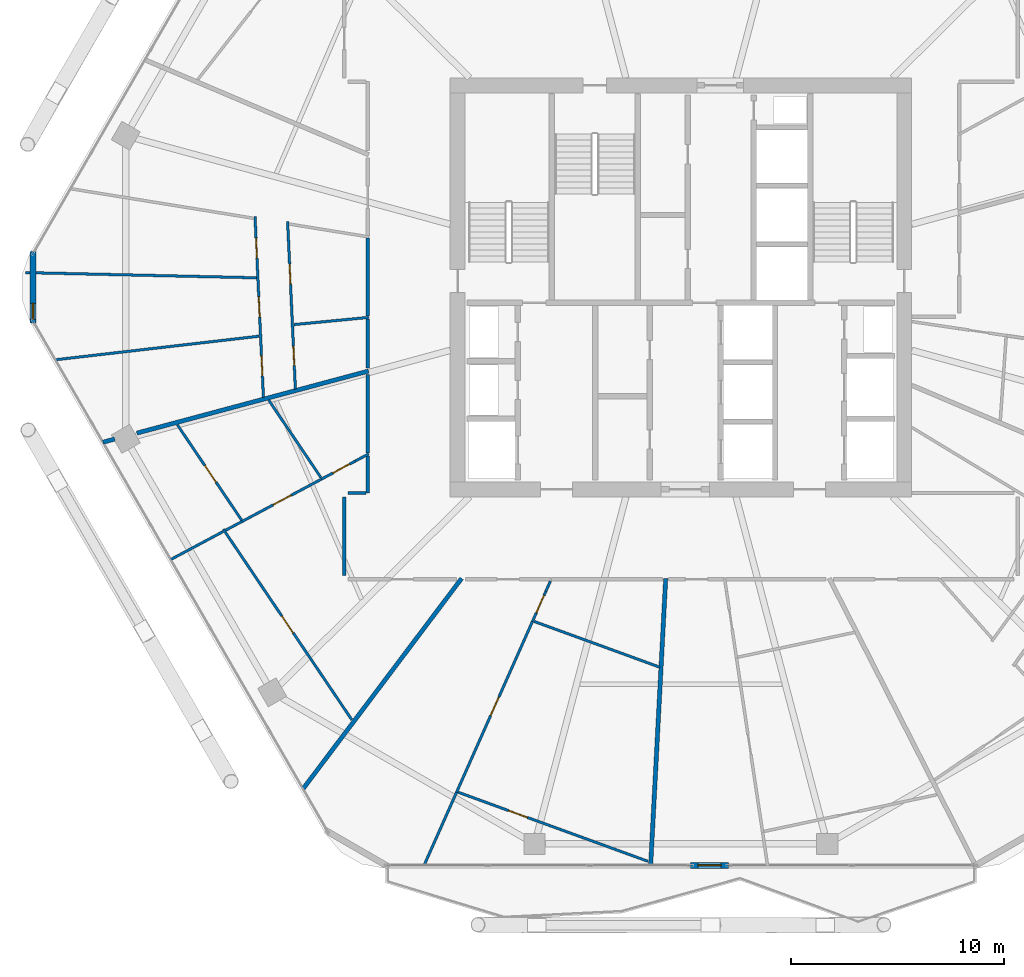
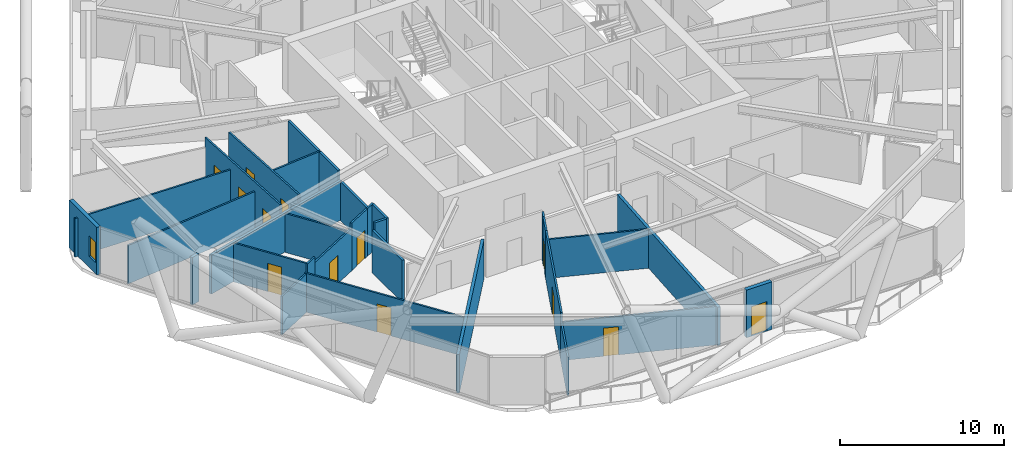
# One storey, part 21 of 29: 31 walls, 13 doors, 1 window, 14 openings.
"""IFC4 building model written with IfcOpenShell, lengths in metres."""

from ifc_helpers import new_model, si_unit, direction, frame, frame_2d, origin, place, context, subcontext, project, spatial, rectangle, extrude, material, layer, layer_set, type_object, element, fill, save


model = new_model("IFC4")

# Units and contexts
model_context = context("Model", 3, precision=1e-05, world=origin(), true_north=direction((0.0, 1.0)))
body_context = subcontext(model_context, "Body", "Model", "MODEL_VIEW")
ifc_project = project(units=[si_unit("LENGTHUNIT", "METRE"), si_unit("AREAUNIT", "SQUARE_METRE"), si_unit("VOLUMEUNIT", "CUBIC_METRE"), si_unit("PLANEANGLEUNIT", "RADIAN"), si_unit("MASSUNIT", "GRAM", prefix="KILO")], contexts=[model_context])

# Site, building, storey
site_placement = place(None, origin())
site = spatial("IfcSite", under=ifc_project, at=site_placement, CompositionType="ELEMENT")
building_placement = place(site_placement, origin())
building = spatial("IfcBuilding", under=site, at=building_placement, Name="Zuhravey Tower", CompositionType="ELEMENT")
storey_placement = place(building_placement, frame((0.0, 0.0, 184.60009765625)))
storey = spatial("IfcBuildingStorey", under=building, at=storey_placement, Name="L46", CompositionType="ELEMENT", Elevation=184.60009765625)

# Walls
ifc_material_1 = material(Name="Gypsum fire-rated stud partition")
ifc_layer_1 = layer(ifc_material_1, 0.159912109375)
ifc_layer_set_1 = layer_set([ifc_layer_1], Name="Gypsum fire-rated stud partition")
wall_type_1 = type_object("IfcWallType", Name="Corridor Fire Partition 160", PredefinedType="PARTITIONING", material=ifc_layer_set_1)
wall_1_placement = place(storey_placement, frame((21.27001953125, 34.3115234375, 0.0), z_axis=(0.0, 0.0, 1.0), x_axis=(0.0, -1.0, 0.0)))
element("IfcWall", 1, at=wall_1_placement, inside=storey, type_object=wall_type_1, Name="L46 IW16 Partition 135", PredefinedType="PARTITIONING", context=body_context, shape_type="SweptSolid", body=[
    extrude(rectangle(XDim=3.661865234375, YDim=0.159912109375, at=frame_2d((1.8310546875, 0.0))), origin(), (0.0, 0.0, 1.0), 3.5498046875),
])
wall_2_placement = place(storey_placement, frame((21.27001953125, 30.512939453125, 0.0), z_axis=(0.0, 0.0, 1.0), x_axis=(0.0, -1.0, 0.0)))
element("IfcWall", 2, at=wall_2_placement, inside=storey, type_object=wall_type_1, Name="L46 IW16 Partition 136", PredefinedType="PARTITIONING", context=body_context, shape_type="SweptSolid", body=[
    extrude(rectangle(XDim=2.3017578125, YDim=0.159912109375, at=frame_2d((1.15087890625, 0.0))), origin(), (0.0, 0.0, 1.0), 3.5498046875),
])
wall_3_placement = place(storey_placement, frame((20.169921875, 22.14990234375, 0.0), z_axis=(0.0, 0.0, 1.0), x_axis=(0.0, -1.0, 0.0)))
element("IfcWall", 3, at=wall_3_placement, inside=storey, type_object=wall_type_1, Name="L46 IW16 Partition 137", PredefinedType="PARTITIONING", context=body_context, shape_type="SweptSolid", body=[
    extrude(rectangle(XDim=3.699951171875, YDim=0.159912109375, at=frame_2d((1.85009765625, 0.0))), origin(), (0.0, 0.0, 1.0), 3.14990234375),
])
wall_4_placement = place(storey_placement, frame((21.27001953125, 24.064453125, 0.0), z_axis=(0.0, 0.0, 1.0), x_axis=(0.0, -1.0, 0.0)))
element("IfcWall", 4, at=wall_4_placement, inside=storey, type_object=wall_type_1, Name="L46 IW16 Partition 138", PredefinedType="PARTITIONING", context=body_context, shape_type="SweptSolid", body=[
    extrude(rectangle(XDim=1.734375, YDim=0.159912109375, at=frame_2d((0.8671875, 0.0))), origin(), (0.0, 0.0, 1.0), 3.5498046875),
])
wall_5_placement = place(storey_placement, frame((21.181884765625, 22.330078125, 0.0), z_axis=(0.0, 0.0, 1.0), x_axis=(-1.0, 0.0, 0.0)))
element("IfcWall", 5, at=wall_5_placement, inside=storey, type_object=wall_type_1, Name="L46 IW16 Partition 139", PredefinedType="PARTITIONING", context=body_context, shape_type="SweptSolid", body=[
    extrude(rectangle(XDim=0.831787109375, YDim=0.159912109375, at=frame_2d((0.416015625, 0.0))), origin(), (0.0, 0.0, 1.0), 3.5498046875),
])
wall_6_placement = place(storey_placement, frame((21.27001953125, 27.894287109375, 0.0), z_axis=(0.0, 0.0, 1.0), x_axis=(0.0, -1.0, 0.0)))
element("IfcWall", 6, at=wall_6_placement, inside=storey, type_object=wall_type_1, Name="L46 IW16 Partition 140", PredefinedType="PARTITIONING", context=body_context, shape_type="SweptSolid", body=[
    extrude(rectangle(XDim=3.67578125, YDim=0.159912109375, at=frame_2d((1.837890625, 0.0))), origin(), (0.0, 0.0, 1.0), 2.89990234375),
])

# Wall, opening, door
ifc_material_2 = material(Name="Precast concrete C40/50", Category="concrete")
ifc_layer_2 = layer(ifc_material_2, 0.280029296875)
ifc_layer_set_2 = layer_set([ifc_layer_2], Name="Precast concrete C40/50")
wall_type_2 = type_object("IfcWallType", Name="Crown Architectural Wall 280", PredefinedType="SOLIDWALL", material=ifc_layer_set_2)
wall_7_placement = place(storey_placement, frame((38.23779296875, 4.81689453125, 0.0), z_axis=(0.0, 0.0, 1.0), x_axis=(-1.0, 0.0, 0.0)))
wall_7 = element("IfcWall", 7, at=wall_7_placement, inside=storey, type_object=wall_type_2, Name="L46 Face 5 Facade Pier EW28-1", PredefinedType="SOLIDWALL", context=body_context, shape_type="SweptSolid", body=[
    extrude(rectangle(XDim=1.7900390625, YDim=0.280029296875, at=frame_2d((0.89501953125, 0.0))), origin(), (0.0, 0.0, 1.0), 3.5498046875),
])
opening_1_placement = place(wall_7_placement, frame((0.344970703125, 0.0, 0.0)))
opening_1 = element("IfcOpeningElement", 8, at=opening_1_placement, cuts=wall_7, Name="Opening BLD1", PredefinedType="OPENING", context=body_context, shape_type="SweptSolid", body=[
    extrude(rectangle(XDim=1.10009765625, YDim=2.199951171875, at=frame_2d((0.550048828125, 1.10009765625))), frame((0.0, 0.152099609375, 0.0), z_axis=(0.0, -1.0, 0.0), x_axis=(1.0, 0.0, 0.0)), (0.0, 0.0, 1.0), 0.303955078125),
])
ifc_material_3 = material(Name="Thermally broken aluminium and low-E glass", Category="aluminium")
door_type_1 = type_object("IfcDoorType", Name="Balcony & Sky-Tray Glazed Door 1100x2200", OperationType="NOTDEFINED", PredefinedType="DOOR", material=ifc_material_3)
door_1_placement = place(opening_1_placement, frame((1.10009765625, 0.0, 0.0), z_axis=(0.0, 0.0, 1.0), x_axis=(-1.0, 0.0, 0.0)))
door_1 = element("IfcDoor", 9, at=door_1_placement, inside=storey, type_object=door_type_1, Name="L46 Face 5 Wave Balcony Door", OperationType="SINGLE_SWING_LEFT", OverallHeight=2.199951171875, OverallWidth=1.10009765625, PredefinedType="DOOR", context=body_context, shape_type="SweptSolid", body=[
    extrude(rectangle(XDim=1.10009765625, YDim=2.199951171875, at=frame_2d((0.550048828125, 1.10009765625))), frame((0.0, 0.02490234375, 0.0), z_axis=(0.0, -1.0, 0.0), x_axis=(1.0, 0.0, 0.0)), (0.0, 0.0, 1.0), 0.050048828125),
])
fill(opening_1, door_1)

# Wall, opening, window
wall_8_placement = place(storey_placement, frame((5.5283203125, 30.3173828125, 0.0), z_axis=(0.0, 0.0, 1.0), x_axis=(0.0, 1.0, 0.0)))
wall_8 = element("IfcWall", 10, at=wall_8_placement, inside=storey, type_object=wall_type_2, Name="L46 Rounded Corner Closure Wall EW28-06", PredefinedType="SOLIDWALL", context=body_context, shape_type="SweptSolid", body=[
    extrude(rectangle(XDim=3.365234375, YDim=0.280029296875, at=frame_2d((1.6826171875, 0.0))), origin(), (0.0, 0.0, 1.0), 3.5498046875),
])
opening_2_placement = place(wall_8_placement, frame((0.17919921875, 0.0, 0.85009765625)))
opening_2 = element("IfcOpeningElement", 11, at=opening_2_placement, cuts=wall_8, Name="Opening WN5", PredefinedType="OPENING", context=body_context, shape_type="SweptSolid", body=[
    extrude(rectangle(XDim=0.75, YDim=1.5, at=frame_2d((0.375, 0.75))), frame((0.0, 0.152099609375, 0.0), z_axis=(0.0, -1.0, 0.0), x_axis=(1.0, 0.0, 0.0)), (0.0, 0.0, 1.0), 0.303955078125),
])
ifc_material_4 = material(Name="Thermally broken aluminium and triple low-E glass", Category="aluminium")
window_type = type_object("IfcWindowType", Name="Residential Corner Casement Window 750x1500", PartitioningType="SINGLE_PANEL", PredefinedType="WINDOW", material=ifc_material_4)
window_placement = place(opening_2_placement, origin())
window = element("IfcWindow", 12, at=window_placement, inside=storey, type_object=window_type, Name="L46 Corner Casement Window WN5-06.1", OverallHeight=1.5, OverallWidth=0.75, PartitioningType="SINGLE_PANEL", PredefinedType="WINDOW", context=body_context, shape_type="SweptSolid", body=[
    extrude(rectangle(XDim=0.75, YDim=1.5, at=frame_2d((0.375, 0.75))), frame((0.0, 0.030029296875, 0.0), z_axis=(0.0, -1.0, 0.0), x_axis=(1.0, 0.0, 0.0)), (0.0, 0.0, 1.0), 0.06005859375),
])
fill(opening_2, window)

# Walls
ifc_material_5 = material(Name="Gypsum double-stud party assembly")
ifc_layer_3 = layer(ifc_material_5, 0.199951171875)
ifc_layer_set_3 = layer_set([ifc_layer_3], Name="Gypsum double-stud party assembly")
wall_type_3 = type_object("IfcWallType", Name="Inter-Tenancy Party Wall 200", PredefinedType="PARTITIONING", material=ifc_layer_set_3)
wall_9_placement = place(storey_placement, frame((21.31005859375, 28.063720703125, 0.0), z_axis=(0.0, 0.0, 1.0), x_axis=(-0.96592825044, -0.258809997878, 0.0)))
element("IfcWall", 13, at=wall_9_placement, inside=storey, type_object=wall_type_3, Name="L46 IW20 Partition 097", PredefinedType="PARTITIONING", context=body_context, shape_type="SweptSolid", body=[
    extrude(rectangle(XDim=11.2822265625, YDim=0.199951171875, at=frame_2d((5.64111328125, 0.0))), origin(), (0.0, 0.0, 1.0), 2.89990234375),
])
wall_10_placement = place(storey_placement, frame((9.372314453125, 24.865234375, 0.0), z_axis=(0.0, 0.0, 1.0), x_axis=(-0.965881701481, -0.258983665013, 0.0)))
element("IfcWall", 14, at=wall_10_placement, inside=storey, type_object=wall_type_3, Name="L46 IW20 Partition 098", PredefinedType="PARTITIONING", context=body_context, shape_type="SweptSolid", body=[
    extrude(rectangle(XDim=0.574951171875, YDim=0.199951171875, at=frame_2d((0.28759765625, 0.0))), origin(), (0.0, 0.0, 1.0), 3.5498046875),
])
wall_11_placement = place(storey_placement, frame((25.683837890625, 18.31005859375, 0.0), z_axis=(0.0, 0.0, 1.0), x_axis=(-0.601811441108, -0.798638209299, 0.0)))
element("IfcWall", 15, at=wall_11_placement, inside=storey, type_object=wall_type_3, Name="L46 IW20 Partition 103", PredefinedType="PARTITIONING", context=body_context, shape_type="SweptSolid", body=[
    extrude(rectangle(XDim=12.388916015625, YDim=0.199951171875, at=frame_2d((6.1943359375, 0.0))), origin(), (0.0, 0.0, 1.0), 2.869873046875),
])
wall_12_placement = place(storey_placement, frame((35.282470703125, 18.31005859375, 0.0), z_axis=(0.0, 0.0, 1.0), x_axis=(-0.052327430458, -0.998629981536, 0.0)))
element("IfcWall", 16, at=wall_12_placement, inside=storey, type_object=wall_type_3, Name="L46 IW20 Partition 107", PredefinedType="PARTITIONING", context=body_context, shape_type="SweptSolid", body=[
    extrude(rectangle(XDim=13.51171875, YDim=0.199951171875, at=frame_2d((6.755859375, 0.0))), origin(), (0.0, 0.0, 1.0), 2.869873046875),
])

# Wall, openings, doors
ifc_material_6 = material(Name="Gypsum metal-stud partition")
ifc_layer_4 = layer(ifc_material_6, 0.1201171875)
ifc_layer_set_4 = layer_set([ifc_layer_4], Name="Gypsum metal-stud partition")
wall_type_4 = type_object("IfcWallType", Name="Unit Internal Partition 120", PredefinedType="PARTITIONING", material=ifc_layer_set_4)
wall_13_placement = place(storey_placement, frame((17.502685546875, 35.090576171875, 0.0), z_axis=(0.0, 0.0, 1.0), x_axis=(0.046406836397, -0.998922622397, 0.0)))
wall_13 = element("IfcWall", 17, at=wall_13_placement, inside=storey, type_object=wall_type_4, Name="L46 IW12 Partition 035", PredefinedType="PARTITIONING", context=body_context, shape_type="SweptSolid", body=[
    extrude(rectangle(XDim=7.891357421875, YDim=0.1201171875, at=frame_2d((3.94580078125, 0.0))), origin(), (0.0, 0.0, 1.0), 3.5498046875),
])
opening_3_placement = place(wall_13_placement, frame((2.00390625, 0.0, 0.0)))
opening_3 = element("IfcOpeningElement", 18, at=opening_3_placement, cuts=wall_13, Name="Opening IND1", PredefinedType="OPENING", context=body_context, shape_type="SweptSolid", body=[
    extrude(rectangle(XDim=0.949951171875, YDim=2.10009765625, at=frame_2d((0.47509765625, 1.050048828125))), frame((0.0, 0.072021484375, 0.0), z_axis=(0.0, -1.0, 0.0), x_axis=(1.0, 0.0, 0.0)), (0.0, 0.0, 1.0), 0.14404296875),
])
opening_4_placement = place(wall_13_placement, frame((5.872314453125, 0.0, 0.0)))
opening_4 = element("IfcOpeningElement", 19, at=opening_4_placement, cuts=wall_13, Name="Opening WCD1", PredefinedType="OPENING", context=body_context, shape_type="SweptSolid", body=[
    extrude(rectangle(XDim=0.89990234375, YDim=2.10009765625, at=frame_2d((0.449951171875, 1.050048828125))), frame((0.0, 0.072021484375, 0.0), z_axis=(0.0, -1.0, 0.0), x_axis=(1.0, 0.0, 0.0)), (0.0, 0.0, 1.0), 0.14404296875),
])
ifc_material_7 = material(Name="Moisture-resistant timber leaf", Category="wood")
door_type_2 = type_object("IfcDoorType", Name="Bathroom & WC Internal Door 900x2100", OperationType="NOTDEFINED", PredefinedType="DOOR", material=ifc_material_7)
door_2_placement = place(opening_4_placement, origin())
door_2 = element("IfcDoor", 20, at=door_2_placement, inside=storey, type_object=door_type_2, Name="Apartment L46-05 Bathroom Door", OperationType="SINGLE_SWING_RIGHT", OverallHeight=2.10009765625, OverallWidth=0.89990234375, PredefinedType="DOOR", context=body_context, shape_type="SweptSolid", body=[
    extrude(rectangle(XDim=0.89990234375, YDim=2.10009765625, at=frame_2d((0.449951171875, 1.050048828125))), frame((0.0, 0.02490234375, 0.0), z_axis=(0.0, -1.0, 0.0), x_axis=(1.0, 0.0, 0.0)), (0.0, 0.0, 1.0), 0.050048828125),
])
fill(opening_4, door_2)
ifc_material_8 = material(Name="Painted engineered timber leaf", Category="wood")
door_type_3 = type_object("IfcDoorType", Name="Internal Room & Bedroom Door 950x2100", OperationType="NOTDEFINED", PredefinedType="DOOR", material=ifc_material_8)
door_3_placement = place(opening_3_placement, origin())
door_3 = element("IfcDoor", 21, at=door_3_placement, inside=storey, type_object=door_type_3, Name="Apartment L46-05 Kitchen Door", OperationType="SINGLE_SWING_LEFT", OverallHeight=2.10009765625, OverallWidth=0.949951171875, PredefinedType="DOOR", context=body_context, shape_type="SweptSolid", body=[
    extrude(rectangle(XDim=0.949951171875, YDim=2.10009765625, at=frame_2d((0.47509765625, 1.050048828125))), frame((0.0, 0.02490234375, 0.0), z_axis=(0.0, -1.0, 0.0), x_axis=(1.0, 0.0, 0.0)), (0.0, 0.0, 1.0), 0.050048828125),
])
fill(opening_3, door_3)

wall_14_placement = place(storey_placement, frame((15.9697265625, 35.33837890625, 0.0), z_axis=(0.0, 0.0, 1.0), x_axis=(0.046402278603, -0.998922834127, 0.0)))
wall_14 = element("IfcWall", 22, at=wall_14_placement, inside=storey, type_object=wall_type_4, Name="L46 IW12 Partition 036", PredefinedType="PARTITIONING", context=body_context, shape_type="SweptSolid", body=[
    extrude(rectangle(XDim=8.52880859375, YDim=0.1201171875, at=frame_2d((4.264404296875, 0.0))), origin(), (0.0, 0.0, 1.0), 3.5498046875),
])
opening_5_placement = place(wall_14_placement, frame((1.022216796875, 0.0, 0.0)))
opening_5 = element("IfcOpeningElement", 23, at=opening_5_placement, cuts=wall_14, Name="Opening IND1", PredefinedType="OPENING", context=body_context, shape_type="SweptSolid", body=[
    extrude(rectangle(XDim=0.949951171875, YDim=2.10009765625, at=frame_2d((0.47509765625, 1.050048828125))), frame((0.0, 0.072021484375, 0.0), z_axis=(0.0, -1.0, 0.0), x_axis=(1.0, 0.0, 0.0)), (0.0, 0.0, 1.0), 0.14404296875),
])
opening_6_placement = place(wall_14_placement, frame((3.789306640625, 0.0, 0.0)))
opening_6 = element("IfcOpeningElement", 24, at=opening_6_placement, cuts=wall_14, Name="Opening IND1", PredefinedType="OPENING", context=body_context, shape_type="SweptSolid", body=[
    extrude(rectangle(XDim=0.949951171875, YDim=2.10009765625, at=frame_2d((0.47509765625, 1.050048828125))), frame((0.0, 0.072021484375, 0.0), z_axis=(0.0, -1.0, 0.0), x_axis=(1.0, 0.0, 0.0)), (0.0, 0.0, 1.0), 0.14404296875),
])
opening_7_placement = place(wall_14_placement, frame((6.556396484375, 0.0, 0.0)))
opening_7 = element("IfcOpeningElement", 25, at=opening_7_placement, cuts=wall_14, Name="Opening IND1", PredefinedType="OPENING", context=body_context, shape_type="SweptSolid", body=[
    extrude(rectangle(XDim=0.949951171875, YDim=2.10009765625, at=frame_2d((0.47509765625, 1.050048828125))), frame((0.0, 0.072021484375, 0.0), z_axis=(0.0, -1.0, 0.0), x_axis=(1.0, 0.0, 0.0)), (0.0, 0.0, 1.0), 0.14404296875),
])
door_4_placement = place(opening_5_placement, frame((0.949951171875, 0.0, 0.0), z_axis=(0.0, 0.0, 1.0), x_axis=(-1.0, 0.0, 0.0)))
door_4 = element("IfcDoor", 26, at=door_4_placement, inside=storey, type_object=door_type_3, Name="Apartment L46-05 Bedroom 1 Door", OperationType="SINGLE_SWING_LEFT", OverallHeight=2.10009765625, OverallWidth=0.949951171875, PredefinedType="DOOR", context=body_context, shape_type="SweptSolid", body=[
    extrude(rectangle(XDim=0.949951171875, YDim=2.10009765625, at=frame_2d((0.47509765625, 1.050048828125))), frame((0.0, 0.02490234375, 0.0), z_axis=(0.0, -1.0, 0.0), x_axis=(1.0, 0.0, 0.0)), (0.0, 0.0, 1.0), 0.050048828125),
])
fill(opening_5, door_4)
door_5_placement = place(opening_6_placement, frame((0.949951171875, 0.0, 0.0), z_axis=(0.0, 0.0, 1.0), x_axis=(-1.0, 0.0, 0.0)))
door_5 = element("IfcDoor", 27, at=door_5_placement, inside=storey, type_object=door_type_3, Name="Apartment L46-05 Bedroom 2 Door", OperationType="SINGLE_SWING_RIGHT", OverallHeight=2.10009765625, OverallWidth=0.949951171875, PredefinedType="DOOR", context=body_context, shape_type="SweptSolid", body=[
    extrude(rectangle(XDim=0.949951171875, YDim=2.10009765625, at=frame_2d((0.47509765625, 1.050048828125))), frame((0.0, 0.02490234375, 0.0), z_axis=(0.0, -1.0, 0.0), x_axis=(1.0, 0.0, 0.0)), (0.0, 0.0, 1.0), 0.050048828125),
])
fill(opening_6, door_5)
door_6_placement = place(opening_7_placement, frame((0.949951171875, 0.0, 0.0), z_axis=(0.0, 0.0, 1.0), x_axis=(-1.0, 0.0, 0.0)))
door_6 = element("IfcDoor", 28, at=door_6_placement, inside=storey, type_object=door_type_3, Name="Apartment L46-05 Bedroom 3 Door", OperationType="SINGLE_SWING_LEFT", OverallHeight=2.10009765625, OverallWidth=0.949951171875, PredefinedType="DOOR", context=body_context, shape_type="SweptSolid", body=[
    extrude(rectangle(XDim=0.949951171875, YDim=2.10009765625, at=frame_2d((0.47509765625, 1.050048828125))), frame((0.0, 0.02490234375, 0.0), z_axis=(0.0, -1.0, 0.0), x_axis=(1.0, 0.0, 0.0)), (0.0, 0.0, 1.0), 0.050048828125),
])
fill(opening_7, door_6)

# Wall, opening, door
wall_15_placement = place(storey_placement, frame((14.474609375, 20.62939453125, 0.0), z_axis=(0.0, 0.0, 1.0), x_axis=(0.559188221227, -0.829040730749, 0.0)))
wall_15 = element("IfcWall", 29, at=wall_15_placement, inside=storey, type_object=wall_type_4, Name="L46 IW12 Partition 038", PredefinedType="PARTITIONING", context=body_context, shape_type="SweptSolid", body=[
    extrude(rectangle(XDim=10.814208984375, YDim=0.1201171875, at=frame_2d((5.4072265625, 0.0))), origin(), (0.0, 0.0, 1.0), 2.89990234375),
])
opening_8_placement = place(wall_15_placement, frame((4.93212890625, 0.0, 0.0)))
opening_8 = element("IfcOpeningElement", 30, at=opening_8_placement, cuts=wall_15, Name="Opening IND1", PredefinedType="OPENING", context=body_context, shape_type="SweptSolid", body=[
    extrude(rectangle(XDim=0.949951171875, YDim=2.10009765625, at=frame_2d((0.47509765625, 1.050048828125))), frame((0.0, 0.072021484375, 0.0), z_axis=(0.0, -1.0, 0.0), x_axis=(1.0, 0.0, 0.0)), (0.0, 0.0, 1.0), 0.14404296875),
])
door_7_placement = place(opening_8_placement, frame((0.949951171875, 0.0, 0.0), z_axis=(0.0, 0.0, 1.0), x_axis=(-1.0, 0.0, 0.0)))
door_7 = element("IfcDoor", 31, at=door_7_placement, inside=storey, type_object=door_type_3, Name="Apartment L46-06 Family Study Door", OperationType="SINGLE_SWING_LEFT", OverallHeight=2.10009765625, OverallWidth=0.949951171875, PredefinedType="DOOR", context=body_context, shape_type="SweptSolid", body=[
    extrude(rectangle(XDim=0.949951171875, YDim=2.10009765625, at=frame_2d((0.47509765625, 1.050048828125))), frame((0.0, 0.02490234375, 0.0), z_axis=(0.0, -1.0, 0.0), x_axis=(1.0, 0.0, 0.0)), (0.0, 0.0, 1.0), 0.050048828125),
])
fill(opening_8, door_7)

wall_16_placement = place(storey_placement, frame((20.699951171875, 23.83740234375, 0.0), z_axis=(0.0, 0.0, 1.0), x_axis=(-0.882312188204, -0.47066463915, 0.0)))
wall_16 = element("IfcWall", 32, at=wall_16_placement, inside=storey, type_object=wall_type_4, Name="L46 IW12 Partition 039", PredefinedType="PARTITIONING", context=body_context, shape_type="SweptSolid", body=[
    extrude(rectangle(XDim=1.82421875, YDim=0.1201171875, at=frame_2d((0.912109375, 0.0))), origin(), (0.0, 0.0, 1.0), 3.5498046875),
])
opening_9_placement = place(wall_16_placement, frame((0.31640625, 0.0, 0.0)))
opening_9 = element("IfcOpeningElement", 33, at=opening_9_placement, cuts=wall_16, Name="Opening WCD1", PredefinedType="OPENING", context=body_context, shape_type="SweptSolid", body=[
    extrude(rectangle(XDim=0.89990234375, YDim=2.10009765625, at=frame_2d((0.449951171875, 1.050048828125))), frame((0.0, 0.072021484375, 0.0), z_axis=(0.0, -1.0, 0.0), x_axis=(1.0, 0.0, 0.0)), (0.0, 0.0, 1.0), 0.14404296875),
])
door_8_placement = place(opening_9_placement, frame((0.89990234375, 0.0, 0.0), z_axis=(0.0, 0.0, 1.0), x_axis=(-1.0, 0.0, 0.0)))
door_8 = element("IfcDoor", 34, at=door_8_placement, inside=storey, type_object=door_type_2, Name="Apartment L46-06 Bathroom Door", OperationType="SINGLE_SWING_RIGHT", OverallHeight=2.10009765625, OverallWidth=0.89990234375, PredefinedType="DOOR", context=body_context, shape_type="SweptSolid", body=[
    extrude(rectangle(XDim=0.89990234375, YDim=2.10009765625, at=frame_2d((0.449951171875, 1.050048828125))), frame((0.0, 0.02490234375, 0.0), z_axis=(0.0, -1.0, 0.0), x_axis=(1.0, 0.0, 0.0)), (0.0, 0.0, 1.0), 0.050048828125),
])
fill(opening_9, door_8)

wall_17_placement = place(storey_placement, frame((19.09033203125, 22.978515625, 0.0), z_axis=(0.0, 0.0, 1.0), x_axis=(-0.882290665846, -0.470704982936, 0.0)))
wall_17 = element("IfcWall", 35, at=wall_17_placement, inside=storey, type_object=wall_type_4, Name="L46 IW12 Partition 040", PredefinedType="PARTITIONING", context=body_context, shape_type="SweptSolid", body=[
    extrude(rectangle(XDim=4.23291015625, YDim=0.1201171875, at=frame_2d((2.116455078125, 0.0))), origin(), (0.0, 0.0, 1.0), 3.14990234375),
])
opening_10_placement = place(wall_17_placement, frame((1.616455078125, 0.0, 0.0)))
opening_10 = element("IfcOpeningElement", 36, at=opening_10_placement, cuts=wall_17, Name="Opening IND1", PredefinedType="OPENING", context=body_context, shape_type="SweptSolid", body=[
    extrude(rectangle(XDim=0.949951171875, YDim=2.10009765625, at=frame_2d((0.47509765625, 1.050048828125))), frame((0.0, 0.072021484375, 0.0), z_axis=(0.0, -1.0, 0.0), x_axis=(1.0, 0.0, 0.0)), (0.0, 0.0, 1.0), 0.14404296875),
])
door_9_placement = place(opening_10_placement, frame((0.949951171875, 0.0, 0.0), z_axis=(0.0, 0.0, 1.0), x_axis=(-1.0, 0.0, 0.0)))
door_9 = element("IfcDoor", 37, at=door_9_placement, inside=storey, type_object=door_type_3, Name="Apartment L46-06 Home Office Door", OperationType="SINGLE_SWING_LEFT", OverallHeight=2.10009765625, OverallWidth=0.949951171875, PredefinedType="DOOR", context=body_context, shape_type="SweptSolid", body=[
    extrude(rectangle(XDim=0.949951171875, YDim=2.10009765625, at=frame_2d((0.47509765625, 1.050048828125))), frame((0.0, 0.02490234375, 0.0), z_axis=(0.0, -1.0, 0.0), x_axis=(1.0, 0.0, 0.0)), (0.0, 0.0, 1.0), 0.050048828125),
])
fill(opening_10, door_9)

wall_18_placement = place(storey_placement, frame((12.31689453125, 25.535888671875, 0.0), z_axis=(0.0, 0.0, 1.0), x_axis=(0.559205201825, -0.829029277078, 0.0)))
wall_18 = element("IfcWall", 38, at=wall_18_placement, inside=storey, type_object=wall_type_4, Name="L46 IW12 Partition 041", PredefinedType="PARTITIONING", context=body_context, shape_type="SweptSolid", body=[
    extrude(rectangle(XDim=5.4052734375, YDim=0.1201171875, at=frame_2d((2.70263671875, 0.0))), origin(), (0.0, 0.0, 1.0), 2.89990234375),
])
opening_11_placement = place(wall_18_placement, frame((2.31201171875, 0.0, 0.0)))
opening_11 = element("IfcOpeningElement", 39, at=opening_11_placement, cuts=wall_18, Name="Opening IND1", PredefinedType="OPENING", context=body_context, shape_type="SweptSolid", body=[
    extrude(rectangle(XDim=0.949951171875, YDim=2.10009765625, at=frame_2d((0.47509765625, 1.050048828125))), frame((0.0, 0.072021484375, 0.0), z_axis=(0.0, -1.0, 0.0), x_axis=(1.0, 0.0, 0.0)), (0.0, 0.0, 1.0), 0.14404296875),
])
door_10_placement = place(opening_11_placement, frame((0.949951171875, 0.0, 0.0), z_axis=(0.0, 0.0, 1.0), x_axis=(-1.0, 0.0, 0.0)))
door_10 = element("IfcDoor", 40, at=door_10_placement, inside=storey, type_object=door_type_3, Name="Apartment L46-06 Bedroom 1 Door", OperationType="SINGLE_SWING_RIGHT", OverallHeight=2.10009765625, OverallWidth=0.949951171875, PredefinedType="DOOR", context=body_context, shape_type="SweptSolid", body=[
    extrude(rectangle(XDim=0.949951171875, YDim=2.10009765625, at=frame_2d((0.47509765625, 1.050048828125))), frame((0.0, 0.02490234375, 0.0), z_axis=(0.0, -1.0, 0.0), x_axis=(1.0, 0.0, 0.0)), (0.0, 0.0, 1.0), 0.050048828125),
])
fill(opening_11, door_10)

wall_19_placement = place(storey_placement, frame((29.645263671875, 17.699951171875, 0.0), z_axis=(0.0, 0.0, 1.0), x_axis=(-0.406138466053, -0.91381154862, 0.0)))
wall_19 = element("IfcWall", 41, at=wall_19_placement, inside=storey, type_object=wall_type_4, Name="L46 IW12 Partition 043", PredefinedType="PARTITIONING", context=body_context, shape_type="SweptSolid", body=[
    extrude(rectangle(XDim=1.543701171875, YDim=0.1201171875, at=frame_2d((0.77197265625, 0.0))), origin(), (0.0, 0.0, 1.0), 3.5498046875),
])
opening_12_placement = place(wall_19_placement, frame((0.199951171875, 0.0, 0.0)))
opening_12 = element("IfcOpeningElement", 42, at=opening_12_placement, cuts=wall_19, Name="Opening WCD1", PredefinedType="OPENING", context=body_context, shape_type="SweptSolid", body=[
    extrude(rectangle(XDim=0.89990234375, YDim=2.10009765625, at=frame_2d((0.449951171875, 1.050048828125))), frame((0.0, 0.072021484375, 0.0), z_axis=(0.0, -1.0, 0.0), x_axis=(1.0, 0.0, 0.0)), (0.0, 0.0, 1.0), 0.14404296875),
])
door_11_placement = place(opening_12_placement, origin())
door_11 = element("IfcDoor", 43, at=door_11_placement, inside=storey, type_object=door_type_2, Name="Apartment L46-07 Bathroom Door", OperationType="SINGLE_SWING_RIGHT", OverallHeight=2.10009765625, OverallWidth=0.89990234375, PredefinedType="DOOR", context=body_context, shape_type="SweptSolid", body=[
    extrude(rectangle(XDim=0.89990234375, YDim=2.10009765625, at=frame_2d((0.449951171875, 1.050048828125))), frame((0.0, 0.02490234375, 0.0), z_axis=(0.0, -1.0, 0.0), x_axis=(1.0, 0.0, 0.0)), (0.0, 0.0, 1.0), 0.050048828125),
])
fill(opening_12, door_11)

wall_20_placement = place(storey_placement, frame((29.018310546875, 16.289306640625, 0.0), z_axis=(0.0, 0.0, 1.0), x_axis=(-0.406112696121, -0.913823001489, 0.0)))
wall_20 = element("IfcWall", 44, at=wall_20_placement, inside=storey, type_object=wall_type_4, Name="L46 IW12 Partition 044", PredefinedType="PARTITIONING", context=body_context, shape_type="SweptSolid", body=[
    extrude(rectangle(XDim=8.790283203125, YDim=0.1201171875, at=frame_2d((4.39501953125, 0.0))), origin(), (0.0, 0.0, 1.0), 3.5498046875),
])
opening_13_placement = place(wall_20_placement, frame((3.89501953125, 0.0, 0.0)))
opening_13 = element("IfcOpeningElement", 45, at=opening_13_placement, cuts=wall_20, Name="Opening IND1", PredefinedType="OPENING", context=body_context, shape_type="SweptSolid", body=[
    extrude(rectangle(XDim=0.949951171875, YDim=2.10009765625, at=frame_2d((0.47509765625, 1.050048828125))), frame((0.0, 0.072021484375, 0.0), z_axis=(0.0, -1.0, 0.0), x_axis=(1.0, 0.0, 0.0)), (0.0, 0.0, 1.0), 0.14404296875),
])
door_12_placement = place(opening_13_placement, origin())
door_12 = element("IfcDoor", 46, at=door_12_placement, inside=storey, type_object=door_type_3, Name="Apartment L46-07 Home Office Door", OperationType="SINGLE_SWING_LEFT", OverallHeight=2.10009765625, OverallWidth=0.949951171875, PredefinedType="DOOR", context=body_context, shape_type="SweptSolid", body=[
    extrude(rectangle(XDim=0.949951171875, YDim=2.10009765625, at=frame_2d((0.47509765625, 1.050048828125))), frame((0.0, 0.02490234375, 0.0), z_axis=(0.0, -1.0, 0.0), x_axis=(1.0, 0.0, 0.0)), (0.0, 0.0, 1.0), 0.050048828125),
])
fill(opening_13, door_12)

wall_21_placement = place(storey_placement, frame((25.522705078125, 8.256103515625, 0.0), z_axis=(0.0, 0.0, 1.0), x_axis=(0.939699589425, -0.34200099654, 0.0)))
wall_21 = element("IfcWall", 47, at=wall_21_placement, inside=storey, type_object=wall_type_4, Name="L46 IW12 Partition 045", PredefinedType="PARTITIONING", context=body_context, shape_type="SweptSolid", body=[
    extrude(rectangle(XDim=9.499267578125, YDim=0.1201171875, at=frame_2d((4.74951171875, 0.0))), origin(), (0.0, 0.0, 1.0), 2.869873046875),
])
opening_14_placement = place(wall_21_placement, frame((2.51708984375, 0.0, 0.0)))
opening_14 = element("IfcOpeningElement", 48, at=opening_14_placement, cuts=wall_21, Name="Opening IND1", PredefinedType="OPENING", context=body_context, shape_type="SweptSolid", body=[
    extrude(rectangle(XDim=0.949951171875, YDim=2.10009765625, at=frame_2d((0.47509765625, 1.050048828125))), frame((0.0, 0.072021484375, 0.0), z_axis=(0.0, -1.0, 0.0), x_axis=(1.0, 0.0, 0.0)), (0.0, 0.0, 1.0), 0.14404296875),
])
door_13_placement = place(opening_14_placement, frame((0.949951171875, 0.0, 0.0), z_axis=(0.0, 0.0, 1.0), x_axis=(-1.0, 0.0, 0.0)))
door_13 = element("IfcDoor", 49, at=door_13_placement, inside=storey, type_object=door_type_3, Name="Apartment L46-07 Bedroom 1 Door", OperationType="SINGLE_SWING_RIGHT", OverallHeight=2.10009765625, OverallWidth=0.949951171875, PredefinedType="DOOR", context=body_context, shape_type="SweptSolid", body=[
    extrude(rectangle(XDim=0.949951171875, YDim=2.10009765625, at=frame_2d((0.47509765625, 1.050048828125))), frame((0.0, 0.02490234375, 0.0), z_axis=(0.0, -1.0, 0.0), x_axis=(1.0, 0.0, 0.0)), (0.0, 0.0, 1.0), 0.050048828125),
])
fill(opening_14, door_13)

# Walls
wall_22_placement = place(storey_placement, frame((21.320068359375, 30.586181640625, 0.0), z_axis=(0.0, 0.0, 1.0), x_axis=(-0.995389172266, -0.095918693358, 0.0)))
element("IfcWall", 50, at=wall_22_placement, inside=storey, type_object=wall_type_4, Name="L46 IW12 Partition 092", PredefinedType="PARTITIONING", context=body_context, shape_type="SweptSolid", body=[
    extrude(rectangle(XDim=3.54052734375, YDim=0.1201171875, at=frame_2d((1.770263671875, 0.0))), origin(), (0.0, 0.0, 1.0), 3.5498046875),
])
wall_23_placement = place(storey_placement, frame((16.035888671875, 32.448486328125, 0.0), z_axis=(0.0, 0.0, 1.0), x_axis=(-0.999747897374, 0.02245309993, 0.0)))
element("IfcWall", 51, at=wall_23_placement, inside=storey, type_object=wall_type_4, Name="L46 IW12 Partition 093", PredefinedType="PARTITIONING", context=body_context, shape_type="SweptSolid", body=[
    extrude(rectangle(XDim=10.8515625, YDim=0.1201171875, at=frame_2d((5.42578125, 0.0))), origin(), (0.0, 0.0, 1.0), 2.869873046875),
])
wall_24_placement = place(storey_placement, frame((16.16357421875, 29.702392578125, 0.0), z_axis=(0.0, 0.0, 1.0), x_axis=(-0.993362697123, -0.115024136443, 0.0)))
element("IfcWall", 52, at=wall_24_placement, inside=storey, type_object=wall_type_4, Name="L46 IW12 Partition 094", PredefinedType="PARTITIONING", context=body_context, shape_type="SweptSolid", body=[
    extrude(rectangle(XDim=9.65966796875, YDim=0.1201171875, at=frame_2d((4.829833984375, 0.0))), origin(), (0.0, 0.0, 1.0), 2.869873046875),
])
wall_25_placement = place(storey_placement, frame((21.31494140625, 24.16552734375, 0.0), z_axis=(0.0, 0.0, 1.0), x_axis=(-0.882275365563, -0.470733660705, 0.0)))
element("IfcWall", 53, at=wall_25_placement, inside=storey, type_object=wall_type_4, Name="L46 IW12 Partition 099", PredefinedType="PARTITIONING", context=body_context, shape_type="SweptSolid", body=[
    extrude(rectangle(XDim=0.697021484375, YDim=0.1201171875, at=frame_2d((0.3486328125, 0.0))), origin(), (0.0, 0.0, 1.0), 3.5498046875),
])
wall_26_placement = place(storey_placement, frame((15.355712890625, 20.986083984375, 0.0), z_axis=(0.0, 0.0, 1.0), x_axis=(-0.882282750181, -0.47071981978, 0.0)))
element("IfcWall", 54, at=wall_26_placement, inside=storey, type_object=wall_type_4, Name="L46 IW12 Partition 100", PredefinedType="PARTITIONING", context=body_context, shape_type="SweptSolid", body=[
    extrude(rectangle(XDim=0.86669921875, YDim=0.1201171875, at=frame_2d((0.433349609375, 0.0))), origin(), (0.0, 0.0, 1.0), 3.5498046875),
])
wall_27_placement = place(storey_placement, frame((14.470458984375, 20.513916015625, 0.0), z_axis=(0.0, 0.0, 1.0), x_axis=(-0.882297449113, -0.470692268141, 0.0)))
element("IfcWall", 55, at=wall_27_placement, inside=storey, type_object=wall_type_4, Name="L46 IW12 Partition 101", PredefinedType="PARTITIONING", context=body_context, shape_type="SweptSolid", body=[
    extrude(rectangle(XDim=2.801513671875, YDim=0.1201171875, at=frame_2d((1.40087890625, 0.0))), origin(), (0.0, 0.0, 1.0), 2.869873046875),
])
wall_28_placement = place(storey_placement, frame((16.614501953125, 26.69384765625, 0.0), z_axis=(0.0, 0.0, 1.0), x_axis=(0.559187802585, -0.829041013123, 0.0)))
element("IfcWall", 56, at=wall_28_placement, inside=storey, type_object=wall_type_4, Name="L46 IW12 Partition 102", PredefinedType="PARTITIONING", context=body_context, shape_type="SweptSolid", body=[
    extrude(rectangle(XDim=4.398681640625, YDim=0.1201171875, at=frame_2d((2.19921875, 0.0))), origin(), (0.0, 0.0, 1.0), 2.89990234375),
])
wall_29_placement = place(storey_placement, frame((29.859375, 18.181884765625, 0.0), z_axis=(0.0, 0.0, 1.0), x_axis=(-0.406009598867, -0.913868812045, 0.0)))
element("IfcWall", 57, at=wall_29_placement, inside=storey, type_object=wall_type_4, Name="L46 IW12 Partition 104", PredefinedType="PARTITIONING", context=body_context, shape_type="SweptSolid", body=[
    extrude(rectangle(XDim=0.52734375, YDim=0.1201171875, at=frame_2d((0.263671875, 0.0))), origin(), (0.0, 0.0, 1.0), 3.5498046875),
])
wall_30_placement = place(storey_placement, frame((25.44873046875, 8.256591796875, 0.0), z_axis=(0.0, 0.0, 1.0), x_axis=(-0.406156505526, -0.913803530864, 0.0)))
element("IfcWall", 58, at=wall_30_placement, inside=storey, type_object=wall_type_4, Name="L46 IW12 Partition 105", PredefinedType="PARTITIONING", context=body_context, shape_type="SweptSolid", body=[
    extrude(rectangle(XDim=3.76708984375, YDim=0.1201171875, at=frame_2d((1.883544921875, 0.0))), origin(), (0.0, 0.0, 1.0), 2.869873046875),
])
wall_31_placement = place(storey_placement, frame((29.092529296875, 16.2890625, 0.0), z_axis=(0.0, 0.0, 1.0), x_axis=(0.939683531228, -0.342045115647, 0.0)))
element("IfcWall", 59, at=wall_31_placement, inside=storey, type_object=wall_type_4, Name="L46 IW12 Partition 106", PredefinedType="PARTITIONING", context=body_context, shape_type="SweptSolid", body=[
    extrude(rectangle(XDim=6.294677734375, YDim=0.1201171875, at=frame_2d((3.1474609375, 0.0))), origin(), (0.0, 0.0, 1.0), 2.89990234375),
])

save(model, "model.ifc")
